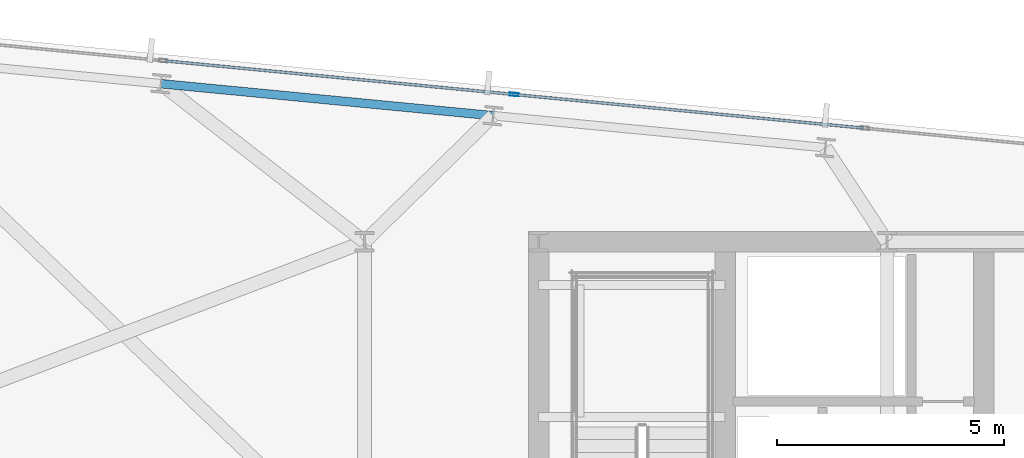
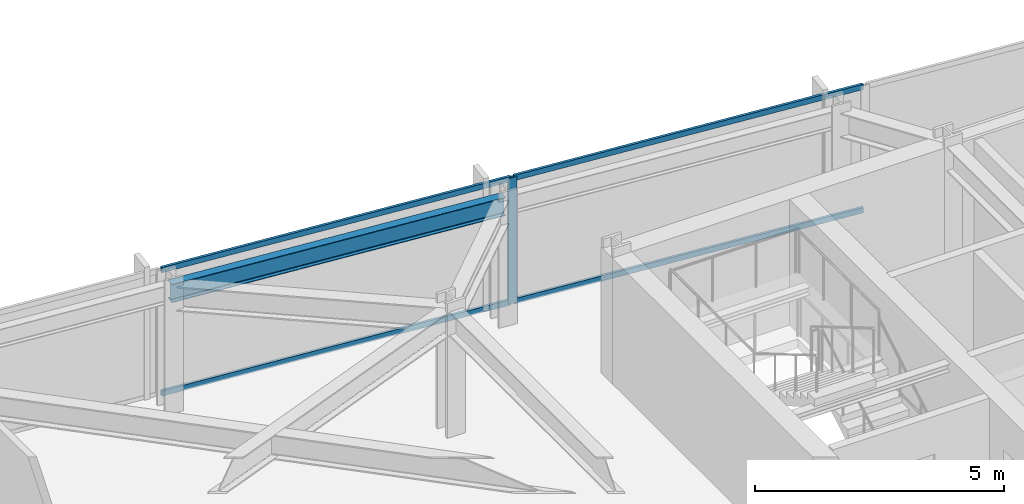
# One storey, part 25 of 38: 5 members, 1 beam, 1 element without a shape of its own.
"""IFC4 building model written with IfcOpenShell, lengths in metres."""

import ifcopenshell
import ifcopenshell.guid

model = None  # the IFC model being written
_history = None  # IfcOwnerHistory: only IFC2X3 demands one
_inside = {}  # id of a spatial element -> (the spatial element, [elements in it])
_under = {}  # id of a project, library or spatial element -> (it, [spatial elements below it])
_declared = {}  # id of a project -> (the project, [libraries it declares])
_typed = {}  # id of a type object -> (the type object, [elements of that type])
_made_of = {}  # id of a material, layer set ... -> (it, [elements and type objects made of it])


def new_model(schema):
    """Start an empty IFC model of exactly this schema.

    Asked for "IFC4X3", IfcOpenShell would pick the latest addendum, in which some entities
    have other attributes; the version numbers below select the first issue.
    IFC2X3 requires an IfcOwnerHistory on every rooted entity: one is made here for all.
    """
    global model, _history
    if schema == "IFC4X3":
        model = ifcopenshell.file(schema_version=(4, 3, 0, 0))
    else:
        model = ifcopenshell.file(schema=schema)
    _inside.clear()
    _under.clear()
    _declared.clear()
    _typed.clear()
    _made_of.clear()
    _history = None
    if model.schema == "IFC2X3":
        org = make("IfcOrganization", Name="unknown")
        user = make(
            "IfcPersonAndOrganization",
            ThePerson=make("IfcPerson", FamilyName="unknown"),
            TheOrganization=org,
        )
        app = make(
            "IfcApplication",
            ApplicationDeveloper=org,
            Version="unknown",
            ApplicationFullName="unknown",
            ApplicationIdentifier="unknown",
        )
        _history = make(
            "IfcOwnerHistory",
            OwningUser=user,
            OwningApplication=app,
            ChangeAction="ADDED",
            CreationDate=0,
        )
    return model


def make(cls, **values):
    """One entity of the class cls with the attributes given. An attribute that is None is left unset."""
    return model.create_entity(
        cls, **{name: value for name, value in values.items() if value is not None}
    )


def rooted(cls, **values):
    """An entity with a GlobalId (a new one), such as an element, a storey or a relation."""
    return make(cls, GlobalId=ifcopenshell.guid.new(), OwnerHistory=_history, **values)


def si_unit(unit_type, name, prefix=None):
    """IfcSIUnit, for example si_unit("LENGTHUNIT", "METRE", prefix="MILLI")."""
    return make("IfcSIUnit", UnitType=unit_type, Prefix=prefix, Name=name)


def assignment(units):
    """IfcUnitAssignment: the units of a project."""
    return None if units is None else make("IfcUnitAssignment", Units=units)


def point(xyz):
    """IfcCartesianPoint."""
    return None if xyz is None else make("IfcCartesianPoint", Coordinates=xyz)


def direction(xyz):
    """IfcDirection."""
    return None if xyz is None else make("IfcDirection", DirectionRatios=xyz)


def frame(location, z_axis=None, x_axis=None):
    """IfcAxis2Placement3D, a coordinate frame: its origin and axes. An axis left out is left unset."""
    return make(
        "IfcAxis2Placement3D",
        Location=point(location),
        Axis=direction(z_axis),
        RefDirection=direction(x_axis),
    )


def frame_2d(location, x_axis=None):
    """IfcAxis2Placement2D, a coordinate frame in the plane: its origin and x axis."""
    return make(
        "IfcAxis2Placement2D", Location=point(location), RefDirection=direction(x_axis)
    )


def origin():
    """The frame at (0, 0, 0) with its axes left unset."""
    return frame((0.0, 0.0, 0.0))


def origin_2d():
    """The frame at (0, 0) in the plane with its x axis left unset."""
    return frame_2d((0.0, 0.0))


def place(relative_to, where):
    """IfcLocalPlacement: puts the frame where relative to a parent placement (None: the world)."""
    return make(
        "IfcLocalPlacement", PlacementRelTo=relative_to, RelativePlacement=where
    )


def context(
    kind, dimensions, precision=None, world=None, true_north=None, identifier=None
):
    """IfcGeometricRepresentationContext, for example the 3D "Model" context."""
    return make(
        "IfcGeometricRepresentationContext",
        ContextIdentifier=identifier,
        ContextType=kind,
        CoordinateSpaceDimension=dimensions,
        Precision=precision,
        WorldCoordinateSystem=world,
        TrueNorth=true_north,
    )


def subcontext(parent, identifier, kind, view, scale=None):
    """IfcGeometricRepresentationSubContext, for example "Body" below "Model"."""
    return make(
        "IfcGeometricRepresentationSubContext",
        ContextIdentifier=identifier,
        ContextType=kind,
        ParentContext=parent,
        TargetScale=scale,
        TargetView=view,
    )


def project(units=None, contexts=None):
    """IfcProject with its units and contexts."""
    return rooted(
        "IfcProject",
        Name="project",
        RepresentationContexts=contexts,
        UnitsInContext=assignment(units),
    )


def spatial(cls, under=None, at=None, **own):
    """A site, building, storey or space (cls), placed at a placement, below another one or the project."""
    s = rooted(cls, ObjectPlacement=at, **own)
    if under is not None:
        _under.setdefault(under.id(), (under, []))[1].append(s)
    return s


def profile(cls, at=None, kind="AREA", **sizes):
    """A parametric profile (cls). Its sizes go by their IFC names, for example OverallWidth=200.0."""
    return make(cls, ProfileType=kind, Position=at, **sizes)


def hollow_rectangle(**sizes):
    """IfcRectangleHollowProfileDef."""
    return profile("IfcRectangleHollowProfileDef", **sizes)


def i_section(**sizes):
    """IfcIShapeProfileDef."""
    return profile("IfcIShapeProfileDef", **sizes)


def extrude(swept, where, along, depth):
    """IfcExtrudedAreaSolid: the profile swept, set in the frame where, extruded along a direction by depth."""
    return make(
        "IfcExtrudedAreaSolid",
        SweptArea=swept,
        Position=where,
        ExtrudedDirection=direction(along),
        Depth=depth,
    )


def shape(context_of_items, identifier, shape_type, items):
    """IfcShapeRepresentation: the items that make up one representation, for example the "Body"."""
    return make(
        "IfcShapeRepresentation",
        ContextOfItems=context_of_items,
        RepresentationIdentifier=identifier,
        RepresentationType=shape_type,
        Items=items,
    )


def material(Name=None, Category=None):
    """IfcMaterial."""
    return make("IfcMaterial", Name=Name, Category=Category)


def material_profile(
    of_material, cross_section, Name=None, Category=None, Priority=None
):
    """IfcMaterialProfile: a cross section and its material."""
    return make(
        "IfcMaterialProfile",
        Name=Name,
        Material=of_material,
        Profile=cross_section,
        Priority=Priority,
        Category=Category,
    )


def profile_set(profiles, Name=None, composite=None):
    """IfcMaterialProfileSet."""
    return make(
        "IfcMaterialProfileSet",
        Name=Name,
        MaterialProfiles=profiles,
        CompositeProfile=composite,
    )


def made_of(thing, what):
    """Note that an element or type object is made of a material, layer set ...; save() writes the relation."""
    if what is not None:
        _made_of.setdefault(what.id(), (what, []))[1].append(thing)
    return thing


def type_object(cls, material=None, **own):
    """A type object (cls), such as IfcWallType, which elements share."""
    return made_of(rooted(cls, **own), material)


def element(
    cls,
    number,
    at=None,
    inside=None,
    cuts=None,
    type_object=None,
    material=None,
    context=None,
    identifier="Body",
    shape_type=None,
    held_by="IfcProductDefinitionShape",
    body=None,
    shapes=None,
    **own,
):
    """One element of the class cls, such as IfcWall. Its Tag is "e" and its number.

    at: its placement. inside: the storey or other place that contains it. cuts: it is an
    opening in that element (IfcRelVoidsElement). A single representation is given by context,
    identifier, shape_type and body (its items); several are given by shapes. held_by: the class
    of the entity that holds the representations. save() writes the other relations.
    """
    e = rooted(cls, Tag="e%d" % number, ObjectPlacement=at, **own)
    if body is not None:
        shapes = [shape(context, identifier, shape_type, body)]
    if shapes is not None:
        e.Representation = make(held_by, Representations=shapes)
    if inside is not None:
        _inside.setdefault(inside.id(), (inside, []))[1].append(e)
    if cuts is not None:
        rooted(
            "IfcRelVoidsElement", RelatingBuildingElement=cuts, RelatedOpeningElement=e
        )
    if type_object is not None:
        _typed.setdefault(type_object.id(), (type_object, []))[1].append(e)
    return made_of(e, material)


def aggregate(whole, parts):
    """IfcRelAggregates: a whole, such as a stair, and the parts it consists of."""
    return rooted("IfcRelAggregates", RelatingObject=whole, RelatedObjects=parts)


def save(model, path):
    """Write the relations noted so far, then the file.

    IfcRelAggregates (storeys below a building ...), IfcRelContainedInSpatialStructure (elements
    in a storey), IfcRelDefinesByType, IfcRelAssociatesMaterial and IfcRelDeclares: one each for
    every whole, place, type object, material and project.
    """
    for whole, parts in _under.values():
        aggregate(whole, parts)
    for where, things in _inside.values():
        rooted(
            "IfcRelContainedInSpatialStructure",
            RelatedElements=things,
            RelatingStructure=where,
        )
    for kind, things in _typed.values():
        rooted("IfcRelDefinesByType", RelatedObjects=things, RelatingType=kind)
    for what, things in _made_of.values():
        rooted("IfcRelAssociatesMaterial", RelatedObjects=things, RelatingMaterial=what)
    for by, libraries in _declared.values():
        rooted("IfcRelDeclares", RelatingContext=by, RelatedDefinitions=libraries)
    model.write(path)


model = new_model("IFC4")

# Units and contexts
model_context = context("Model", 3, precision=1e-05, world=origin(), true_north=direction((0.0, 1.0)))
body_context = subcontext(model_context, "Body", "Model", "MODEL_VIEW")
ifc_project = project(units=[si_unit("LENGTHUNIT", "METRE"), si_unit("AREAUNIT", "SQUARE_METRE"), si_unit("VOLUMEUNIT", "CUBIC_METRE"), si_unit("PLANEANGLEUNIT", "RADIAN"), si_unit("MASSUNIT", "GRAM", prefix="KILO")], contexts=[model_context])

# Site, building, storey
site_placement = place(None, origin())
site = spatial("IfcSite", under=ifc_project, at=site_placement, CompositionType="ELEMENT")
building_placement = place(site_placement, origin())
building = spatial("IfcBuilding", under=site, at=building_placement, Name="Yelkora Congress Tower", CompositionType="ELEMENT")
storey_placement = place(building_placement, frame((0.0, 0.0, 178.699951171875)))
storey = spatial("IfcBuildingStorey", under=building, at=storey_placement, Name="L49", CompositionType="ELEMENT", Elevation=178.699951171875)

# Beam
ifc_material_1 = material(Name="Steel S355J2", Category="steel")
ifc_material_profile_1 = material_profile(ifc_material_1, i_section(OverallWidth=0.18994140625, OverallDepth=0.449951171875, WebThickness=0.009521484375, FlangeThickness=0.0146484375, FilletRadius=0.02099609375, at=origin_2d()), Name="IPE 450")
ifc_profile_set_1 = profile_set([ifc_material_profile_1], Name="Steel S355J2")
beam_type = type_object("IfcBeamType", Name="BM-SPAN-IPE450", PredefinedType="SPANDREL", material=ifc_profile_set_1)
beam_placement = place(storey_placement, frame((22.035400390625, 48.980224609375, 2.85498046875), z_axis=(-0.995393938538, 0.095869218844, 0.0), x_axis=(-0.095869218844, -0.995393938538, 0.0)))
element("IfcBeam", 1, at=beam_placement, inside=storey, type_object=beam_type, Name="L49 Perimeter Beam 14", PredefinedType="SPANDREL", context=body_context, shape_type="SweptSolid", body=[
    extrude(i_section(OverallWidth=0.18994140625, OverallDepth=0.449951171875, WebThickness=0.009521484375, FlangeThickness=0.0146484375, FilletRadius=0.02099609375, at=origin_2d()), origin(), (0.0, 0.0, 1.0), 7.357177734375),
])

# Curtain wall, members
ifc_material_2 = material(Name="Anodised aluminium and insulated glass", Category="aluminium")
curtain_wall_type = type_object("IfcCurtainWallType", Name="CW-SYS-B3", PredefinedType="NOTDEFINED", material=ifc_material_2)
curtain_wall_placement = place(storey_placement, origin())
curtain_wall = element("IfcCurtainWall", 2, at=curtain_wall_placement, inside=storey, type_object=curtain_wall_type, Name="L49 Unitised Curtain Wall 10 (1)", PredefinedType="NOTDEFINED")
ifc_material_3 = material(Name="Anodised aluminium 6063-T6", Category="aluminium")
ifc_material_profile_2 = material_profile(ifc_material_3, hollow_rectangle(XDim=0.070068359375, YDim=0.18994140625, WallThickness=0.00390625, at=origin_2d()), Name="ALU 70x190x4")
ifc_profile_set_2 = profile_set([ifc_material_profile_2], Name="Anodised aluminium 6063-T6")
member_type_1 = type_object("IfcMemberType", Name="MEM-ML-B3", PredefinedType="MULLION", material=ifc_profile_set_2)
member_1_placement = place(storey_placement, frame((22.496826171875, 49.4482421875, 0.0), z_axis=(0.0, 0.0, 1.0), x_axis=(0.095844761168, 0.995396293823, 0.0)))
member_1 = element("IfcMember", 3, at=member_1_placement, type_object=member_type_1, Name="CW-B3 mullion 3", PredefinedType="MULLION", context=body_context, shape_type="SweptSolid", body=[
    extrude(hollow_rectangle(XDim=0.070068359375, YDim=0.18994140625, WallThickness=0.00390625, at=origin_2d()), origin(), (0.0, 0.0, 1.0), 3.080078125),
])
ifc_material_profile_3 = material_profile(ifc_material_3, hollow_rectangle(XDim=0.06005859375, YDim=0.1298828125, WallThickness=0.00390625, at=origin_2d()), Name="ALU 60x130x4")
ifc_profile_set_3 = profile_set([ifc_material_profile_3], Name="Anodised aluminium 6063-T6")
member_type_2 = type_object("IfcMemberType", Name="MEM-TR-B3", PredefinedType="USERDEFINED", material=ifc_profile_set_3)
member_2_placement = place(storey_placement, frame((14.798095703125, 50.189697265625, 0.030029296875), z_axis=(0.995395016973, -0.095858020971, 0.0), x_axis=(0.095858020971, 0.995395016973, 0.0)))
member_2 = element("IfcMember", 4, at=member_2_placement, type_object=member_type_2, Name="CW-B3 transom 2.1", ObjectType="TRANSOM", PredefinedType="USERDEFINED", context=body_context, shape_type="SweptSolid", body=[
    extrude(hollow_rectangle(XDim=0.06005859375, YDim=0.1298828125, WallThickness=0.00390625, at=origin_2d()), origin(), (0.0, 0.0, 1.0), 7.69921875),
])
member_3_placement = place(storey_placement, frame((14.798095703125, 50.189697265625, 3.050048828125), z_axis=(0.995395016973, -0.095858020971, 0.0), x_axis=(0.095858020971, 0.995395016973, 0.0)))
member_3 = element("IfcMember", 5, at=member_3_placement, type_object=member_type_2, Name="CW-B3 transom 2.2", ObjectType="TRANSOM", PredefinedType="USERDEFINED", context=body_context, shape_type="SweptSolid", body=[
    extrude(hollow_rectangle(XDim=0.06005859375, YDim=0.1298828125, WallThickness=0.00390625, at=origin_2d()), origin(), (0.0, 0.0, 1.0), 7.69921875),
])
member_4_placement = place(storey_placement, frame((22.531494140625, 49.44482421875, 0.030029296875), z_axis=(0.995398333273, -0.095823578082, 0.0), x_axis=(0.095823578082, 0.995398333273, 0.0)))
member_4 = element("IfcMember", 6, at=member_4_placement, type_object=member_type_2, Name="CW-B3 transom 3.1", ObjectType="TRANSOM", PredefinedType="USERDEFINED", context=body_context, shape_type="SweptSolid", body=[
    extrude(hollow_rectangle(XDim=0.06005859375, YDim=0.1298828125, WallThickness=0.00390625, at=origin_2d()), origin(), (0.0, 0.0, 1.0), 7.699462890625),
])
member_5_placement = place(storey_placement, frame((22.531494140625, 49.44482421875, 3.050048828125), z_axis=(0.995398333273, -0.095823578082, 0.0), x_axis=(0.095823578082, 0.995398333273, 0.0)))
member_5 = element("IfcMember", 7, at=member_5_placement, type_object=member_type_2, Name="CW-B3 transom 3.2", ObjectType="TRANSOM", PredefinedType="USERDEFINED", context=body_context, shape_type="SweptSolid", body=[
    extrude(hollow_rectangle(XDim=0.06005859375, YDim=0.1298828125, WallThickness=0.00390625, at=origin_2d()), origin(), (0.0, 0.0, 1.0), 7.699462890625),
])
aggregate(curtain_wall, [member_1, member_2, member_3, member_4, member_5])

save(model, "model.ifc")
